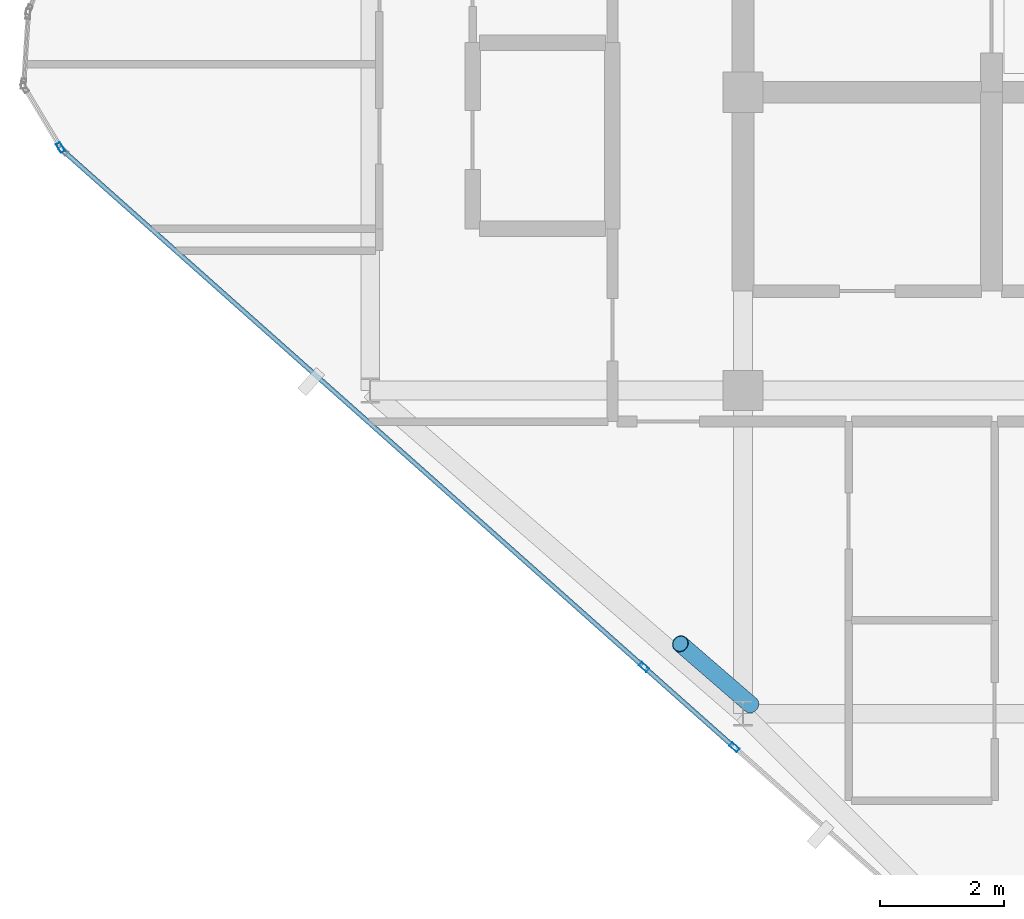
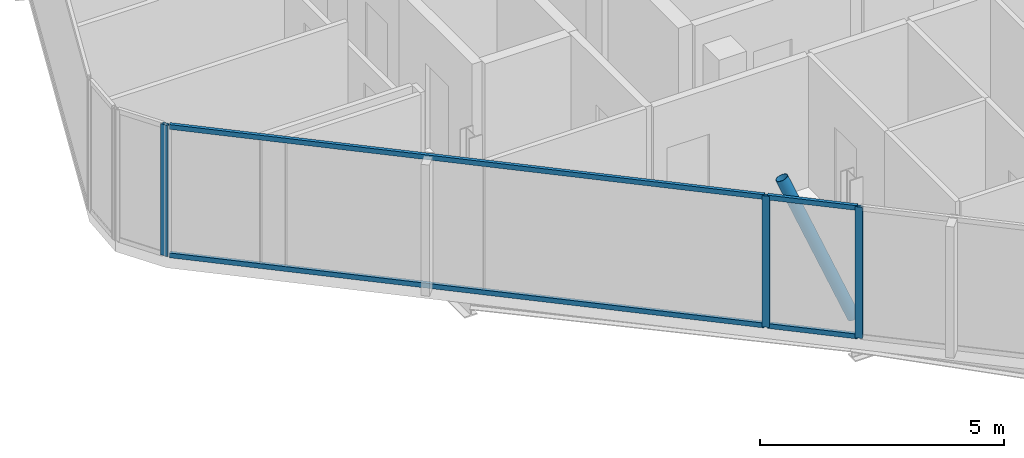
# One storey, part 3 of 27: 8 members, 4 elements without a shape of their own.
"""IFC4 building model written with IfcOpenShell, lengths in metres."""

from ifc_helpers import new_model, si_unit, direction, frame, origin, origin_2d, place, context, subcontext, project, spatial, hollow_rectangle, hollow_circle, extrude, material, layer, layer_set, material_profile, profile_set, type_object, element, aggregate, save


model = new_model("IFC4")

# Units and contexts
model_context = context("Model", 3, precision=1e-05, world=origin(), true_north=direction((0.0, 1.0)))
body_context = subcontext(model_context, "Body", "Model", "MODEL_VIEW")
ifc_project = project(units=[si_unit("LENGTHUNIT", "METRE"), si_unit("AREAUNIT", "SQUARE_METRE"), si_unit("VOLUMEUNIT", "CUBIC_METRE"), si_unit("PLANEANGLEUNIT", "RADIAN"), si_unit("MASSUNIT", "GRAM", prefix="KILO")], contexts=[model_context])

# Site, building, storey
site_placement = place(None, origin())
site = spatial("IfcSite", under=ifc_project, at=site_placement, CompositionType="ELEMENT")
building_placement = place(site_placement, origin())
building = spatial("IfcBuilding", under=site, at=building_placement, Name="Keshet Zoharim Tower", CompositionType="ELEMENT")
storey_placement = place(building_placement, frame((0.0, 0.0, 311.0)))
storey = spatial("IfcBuildingStorey", under=building, at=storey_placement, Name="L78", CompositionType="ELEMENT", Elevation=311.0)

# Curtain wall, member
ifc_material_1 = material(Name="Aluminium 6063-T6", Category="aluminium")
ifc_layer = layer(ifc_material_1, 0.260009765625)
ifc_layer_set = layer_set([ifc_layer], Name="Aluminium 6063-T6")
curtain_wall_type = type_object("IfcCurtainWallType", Name="CW-SYS-06", PredefinedType="NOTDEFINED", material=ifc_layer_set)
curtain_wall_1_placement = place(storey_placement, origin())
curtain_wall_1 = element("IfcCurtainWall", 1, at=curtain_wall_1_placement, inside=storey, type_object=curtain_wall_type, Name="L78 Unitised Curtain Wall 01", PredefinedType="NOTDEFINED")
ifc_material_profile_1 = material_profile(ifc_material_1, hollow_rectangle(XDim=0.074951171875, YDim=0.159912109375, WallThickness=0.00390625, at=origin_2d()), Name="MUL-75x160")
ifc_profile_set_1 = profile_set([ifc_material_profile_1], Name="Aluminium 6063-T6")
member_type_1 = type_object("IfcMemberType", Name="CWM-M15", PredefinedType="MULLION", material=ifc_profile_set_1)
member_1_placement = place(storey_placement, frame((4.016845703125, 21.81005859375, 0.0), z_axis=(0.0, 0.0, 1.0), x_axis=(-0.856826433805, -0.515604947933, 0.0)))
member_1 = element("IfcMember", 2, at=member_1_placement, type_object=member_type_1, Name="CW-06 mullion 1", PredefinedType="MULLION", context=body_context, shape_type="SweptSolid", body=[
    extrude(hollow_rectangle(XDim=0.074951171875, YDim=0.159912109375, WallThickness=0.00390625, at=origin_2d()), origin(), (0.0, 0.0, 1.0), 3.280029296875),
])
aggregate(curtain_wall_1, [member_1])

curtain_wall_2_placement = place(storey_placement, origin())
curtain_wall_2 = element("IfcCurtainWall", 3, at=curtain_wall_2_placement, inside=storey, type_object=curtain_wall_type, Name="L78 Unitised Curtain Wall 16", PredefinedType="NOTDEFINED")
member_2_placement = place(storey_placement, frame((14.862548828125, 12.155517578125, 0.0), z_axis=(0.0, 0.0, 1.0), x_axis=(-0.664358864426, -0.747413740347, 0.0)))
member_2 = element("IfcMember", 4, at=member_2_placement, type_object=member_type_1, Name="CW-06 mullion 2", PredefinedType="MULLION", context=body_context, shape_type="SweptSolid", body=[
    extrude(hollow_rectangle(XDim=0.074951171875, YDim=0.159912109375, WallThickness=0.00390625, at=origin_2d()), origin(), (0.0, 0.0, 1.0), 3.280029296875),
])
aggregate(curtain_wall_2, [member_2])

# Curtain wall, members
curtain_wall_3_placement = place(storey_placement, origin())
curtain_wall_3 = element("IfcCurtainWall", 5, at=curtain_wall_3_placement, inside=storey, type_object=curtain_wall_type, Name="L78 Unitised Curtain Wall 16 Part 2", PredefinedType="NOTDEFINED")
member_3_placement = place(storey_placement, frame((13.406494140625, 13.449951171875, 0.0), z_axis=(0.0, 0.0, 1.0), x_axis=(-0.664389325445, -0.747386663137, 0.0)))
member_3 = element("IfcMember", 6, at=member_3_placement, type_object=member_type_1, Name="CW-06 mullion 2", PredefinedType="MULLION", context=body_context, shape_type="SweptSolid", body=[
    extrude(hollow_rectangle(XDim=0.074951171875, YDim=0.159912109375, WallThickness=0.00390625, at=origin_2d()), origin(), (0.0, 0.0, 1.0), 3.280029296875),
])
ifc_material_profile_2 = material_profile(ifc_material_1, hollow_rectangle(XDim=0.074951171875, YDim=0.1201171875, WallThickness=0.00390625, at=origin_2d()), Name="TRN-75x120")
ifc_profile_set_2 = profile_set([ifc_material_profile_2], Name="Aluminium 6063-T6")
member_type_2 = type_object("IfcMemberType", Name="CWT-T12", PredefinedType="USERDEFINED", material=ifc_profile_set_2)
member_4_placement = place(storey_placement, frame((14.83642578125, 12.1787109375, 0.034912109375), z_axis=(-0.747351947952, 0.664428375292, 0.0), x_axis=(-0.664428375292, -0.747351947952, 0.0)))
member_4 = element("IfcMember", 7, at=member_4_placement, type_object=member_type_2, Name="CW-06 transom 1.1", ObjectType="TRANSOM", PredefinedType="USERDEFINED", context=body_context, shape_type="SweptSolid", body=[
    extrude(hollow_rectangle(XDim=0.074951171875, YDim=0.1201171875, WallThickness=0.00390625, at=origin_2d()), origin(), (0.0, 0.0, 1.0), 1.87841796875),
])
member_5_placement = place(storey_placement, frame((14.83642578125, 12.1787109375, 3.2451171875), z_axis=(-0.747351947952, 0.664428375292, 0.0), x_axis=(-0.664428375292, -0.747351947952, 0.0)))
member_5 = element("IfcMember", 8, at=member_5_placement, type_object=member_type_2, Name="CW-06 transom 1.2", ObjectType="TRANSOM", PredefinedType="USERDEFINED", context=body_context, shape_type="SweptSolid", body=[
    extrude(hollow_rectangle(XDim=0.074951171875, YDim=0.1201171875, WallThickness=0.00390625, at=origin_2d()), origin(), (0.0, 0.0, 1.0), 1.87841796875),
])
aggregate(curtain_wall_3, [member_3, member_4, member_5])

curtain_wall_4_placement = place(storey_placement, origin())
curtain_wall_4 = element("IfcCurtainWall", 9, at=curtain_wall_4_placement, inside=storey, type_object=curtain_wall_type, Name="L78 Unitised Curtain Wall 16 Part 3", PredefinedType="NOTDEFINED")
member_6_placement = place(storey_placement, frame((13.38037109375, 13.47314453125, 0.034912109375), z_axis=(-0.747415818764, 0.664356526168, 0.0), x_axis=(-0.664356526168, -0.747415818764, 0.0)))
member_6 = element("IfcMember", 10, at=member_6_placement, type_object=member_type_2, Name="CW-06 transom 1.1", ObjectType="TRANSOM", PredefinedType="USERDEFINED", context=body_context, shape_type="SweptSolid", body=[
    extrude(hollow_rectangle(XDim=0.074951171875, YDim=0.1201171875, WallThickness=0.00390625, at=origin_2d()), origin(), (0.0, 0.0, 1.0), 12.433349609375),
])
member_7_placement = place(storey_placement, frame((13.38037109375, 13.47314453125, 3.2451171875), z_axis=(-0.747415818764, 0.664356526168, 0.0), x_axis=(-0.664356526168, -0.747415818764, 0.0)))
member_7 = element("IfcMember", 11, at=member_7_placement, type_object=member_type_2, Name="CW-06 transom 1.2", ObjectType="TRANSOM", PredefinedType="USERDEFINED", context=body_context, shape_type="SweptSolid", body=[
    extrude(hollow_rectangle(XDim=0.074951171875, YDim=0.1201171875, WallThickness=0.00390625, at=origin_2d()), origin(), (0.0, 0.0, 1.0), 12.433349609375),
])
aggregate(curtain_wall_4, [member_6, member_7])

# Member
ifc_material_2 = material(Name="Steel S355", Category="steel")
ifc_material_profile_3 = material_profile(ifc_material_2, hollow_circle(Radius=0.136474609375, WallThickness=0.010009765625, at=origin_2d()), Name="CHS273x10")
ifc_profile_set_3 = profile_set([ifc_material_profile_3], Name="Steel S355")
member_type_3 = type_object("IfcMemberType", Name="MB-BR-C273", PredefinedType="BRACE", material=ifc_profile_set_3)
member_8_placement = place(storey_placement, frame((15.1259765625, 12.842041015625, 0.0), z_axis=(-0.314417613446, 0.272247070243, 0.909408102614), x_axis=(-0.654589683411, -0.755984355904, 0.0)))
element("IfcMember", 12, at=member_8_placement, inside=storey, type_object=member_type_3, Name="L78 Perimeter Tube Brace 01", PredefinedType="BRACE", context=body_context, shape_type="SweptSolid", body=[
    extrude(hollow_circle(Radius=0.136474609375, WallThickness=0.010009765625, at=origin_2d()), origin(), (0.0, 0.0, 1.0), 3.606689453125),
])

save(model, "model.ifc")
